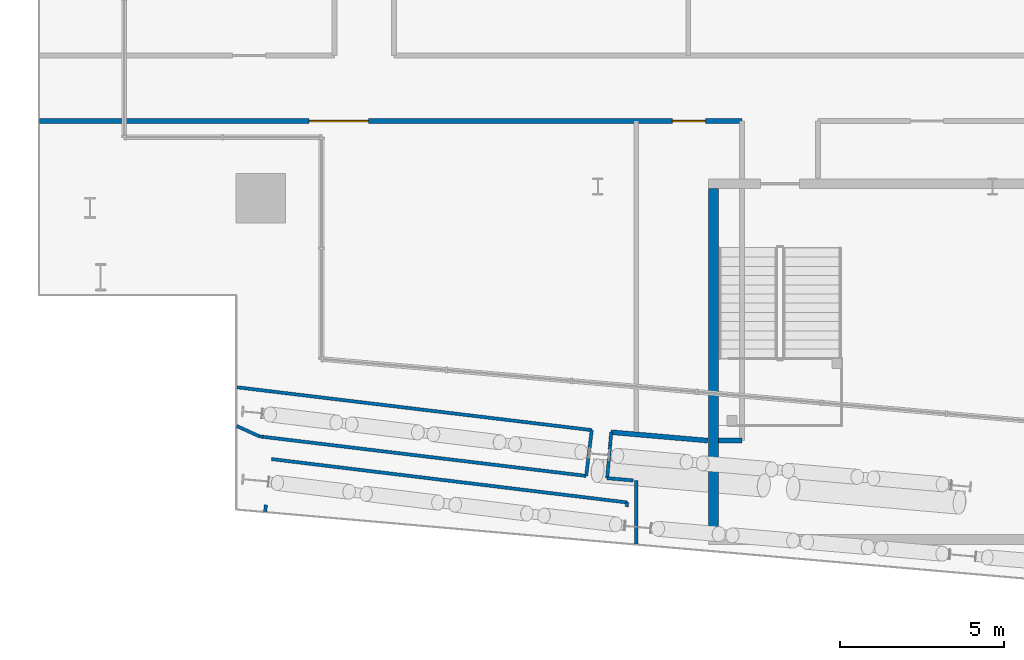
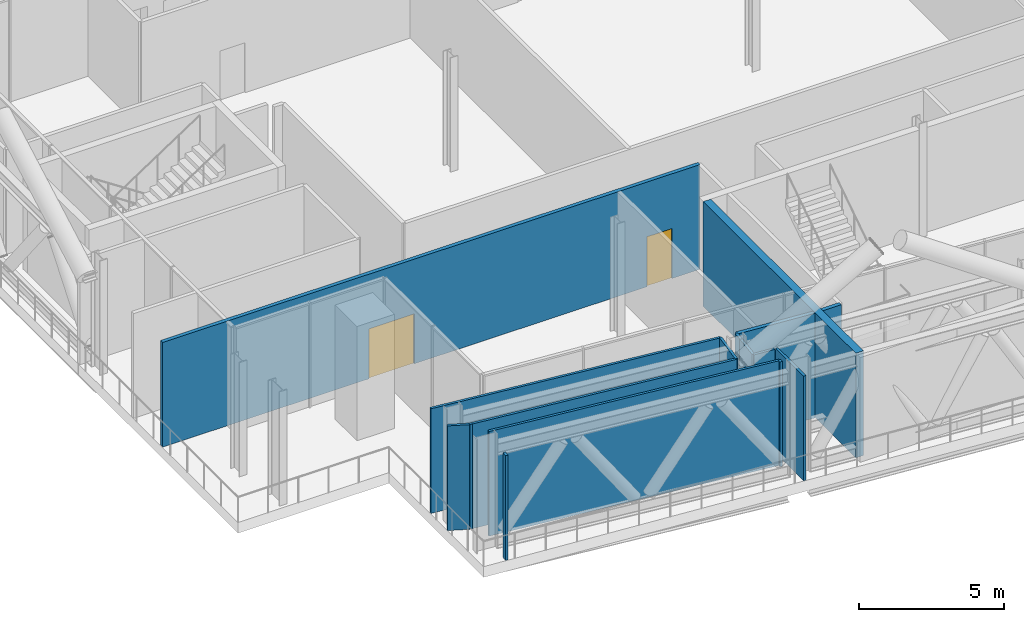
# One storey, part 15 of 42: 16 walls, 2 doors, 2 openings.
"""IFC4 building model written with IfcOpenShell, lengths in metres."""

from ifc_helpers import new_model, si_unit, direction, frame, frame_2d, origin, place, context, subcontext, project, spatial, rectangle, extrude, material, layer, layer_set, type_object, element, fill, save


model = new_model("IFC4")

# Units and contexts
model_context = context("Model", 3, precision=1e-05, world=origin(), true_north=direction((0.0, 1.0)))
body_context = subcontext(model_context, "Body", "Model", "MODEL_VIEW")
ifc_project = project(units=[si_unit("LENGTHUNIT", "METRE"), si_unit("AREAUNIT", "SQUARE_METRE"), si_unit("VOLUMEUNIT", "CUBIC_METRE"), si_unit("PLANEANGLEUNIT", "RADIAN"), si_unit("MASSUNIT", "GRAM", prefix="KILO")], contexts=[model_context])

# Site, building, storey
site_placement = place(None, origin())
site = spatial("IfcSite", under=ifc_project, at=site_placement, CompositionType="ELEMENT")
building_placement = place(site_placement, origin())
building = spatial("IfcBuilding", under=site, at=building_placement, Name="Wharfspan Tower", CompositionType="ELEMENT")
storey_placement = place(building_placement, frame((0.0, 0.0, 147.100098)))
storey = spatial("IfcBuildingStorey", under=building, at=storey_placement, Name="L35", CompositionType="ELEMENT", Elevation=147.100098)

# Walls
ifc_material_1 = material(Name="Gypsum board on steel studs", Category="steel")
ifc_layer_1 = layer(ifc_material_1, 0.100098)
ifc_layer_set_1 = layer_set([ifc_layer_1], Name="Gypsum board on steel studs")
wall_type_1 = type_object("IfcWallType", Name="Partition 100", PredefinedType="PARTITIONING", material=ifc_layer_set_1)
wall_1_placement = place(storey_placement, frame((13.7146, 3.905273, 0.0), z_axis=(0.0, 0.0, 1.0), x_axis=(-0.910389, 0.413755, 0.0)))
element("IfcWall", 1, at=wall_1_placement, inside=storey, type_object=wall_type_1, Name="Partition L35.w006", PredefinedType="PARTITIONING", context=body_context, shape_type="SweptSolid", body=[
    extrude(rectangle(XDim=0.762939, YDim=0.100098, at=frame_2d((0.381348, 0.0))), origin(), (0.0, 0.0, 1.0), 4.399902),
])
wall_2_placement = place(storey_placement, frame((13.820068, 3.889893, 0.0), z_axis=(0.0, 0.0, 1.0), x_axis=(-0.989763, 0.14271, 0.0)))
element("IfcWall", 2, at=wall_2_placement, inside=storey, type_object=wall_type_1, Name="Partition L35.w007", PredefinedType="PARTITIONING", context=body_context, shape_type="SweptSolid", body=[
    extrude(rectangle(XDim=0.105957, YDim=0.100098, at=frame_2d((0.052979, 0.0))), origin(), (0.0, 0.0, 1.0), 4.399902),
])
wall_3_placement = place(storey_placement, frame((13.886963, 1.617432, 0.0), z_axis=(0.0, 0.0, 1.0), x_axis=(0.109791, 0.993959, 0.0)))
element("IfcWall", 3, at=wall_3_placement, inside=storey, type_object=wall_type_1, Name="Partition L35.w008", PredefinedType="PARTITIONING", context=body_context, shape_type="SweptSolid", body=[
    extrude(rectangle(XDim=0.208984, YDim=0.100098, at=frame_2d((0.104492, 0.0))), origin(), (0.0, 0.0, 1.0), 4.399902),
])
wall_4_placement = place(storey_placement, frame((23.647217, 2.703369, 0.0), z_axis=(0.0, 0.0, 1.0), x_axis=(-0.99276, 0.120117, 0.0)))
element("IfcWall", 4, at=wall_4_placement, inside=storey, type_object=wall_type_1, Name="Partition L35.w017", PredefinedType="PARTITIONING", context=body_context, shape_type="SweptSolid", body=[
    extrude(rectangle(XDim=9.89624, YDim=0.100098, at=frame_2d((4.948242, 0.0))), origin(), (0.0, 0.0, 1.0), 4.399902),
])
wall_5_placement = place(storey_placement, frame((23.647217, 2.703369, 0.0), z_axis=(0.0, 0.0, 1.0), x_axis=(0.120149, 0.992755, 0.0)))
element("IfcWall", 5, at=wall_5_placement, inside=storey, type_object=wall_type_1, Name="Partition L35.w018", PredefinedType="PARTITIONING", context=body_context, shape_type="SweptSolid", body=[
    extrude(rectangle(XDim=1.400146, YDim=0.100098, at=frame_2d((0.700195, 0.0))), origin(), (0.0, 0.0, 1.0), 4.399902),
])
wall_6_placement = place(storey_placement, frame((23.814941, 4.094971, 0.0), z_axis=(0.0, 0.0, 1.0), x_axis=(-0.992778, 0.119977, 0.0)))
element("IfcWall", 6, at=wall_6_placement, inside=storey, type_object=wall_type_1, Name="Partition L35.w019", PredefinedType="PARTITIONING", context=body_context, shape_type="SweptSolid", body=[
    extrude(rectangle(XDim=10.858154, YDim=0.100098, at=frame_2d((5.429199, 0.0))), origin(), (0.0, 0.0, 1.0), 4.399902),
])
wall_7_placement = place(storey_placement, frame((24.284912, 2.63501, 0.0), z_axis=(0.0, 0.0, 1.0), x_axis=(0.08886, 0.996042, 0.0)))
element("IfcWall", 7, at=wall_7_placement, inside=storey, type_object=wall_type_1, Name="Partition L35.w020", PredefinedType="PARTITIONING", context=body_context, shape_type="SweptSolid", body=[
    extrude(rectangle(XDim=1.024902, YDim=0.100098, at=frame_2d((0.512451, 0.0))), origin(), (0.0, 0.0, 1.0), 4.399902),
])
wall_8_placement = place(storey_placement, frame((24.374023, 3.63208, 0.0), z_axis=(0.0, 0.0, 1.0), x_axis=(0.087129, 0.996195, 0.0)))
element("IfcWall", 8, at=wall_8_placement, inside=storey, type_object=wall_type_1, Name="Partition L35.w021", PredefinedType="PARTITIONING", context=body_context, shape_type="SweptSolid", body=[
    extrude(rectangle(XDim=0.400635, YDim=0.100098, at=frame_2d((0.200195, 0.0))), origin(), (0.0, 0.0, 1.0), 4.399902),
])
wall_9_placement = place(storey_placement, frame((24.879883, 1.764893, 0.0), z_axis=(0.0, 0.0, 1.0), x_axis=(0.115544, 0.993306, 0.0)))
element("IfcWall", 9, at=wall_9_placement, inside=storey, type_object=wall_type_1, Name="Partition L35.w022", PredefinedType="PARTITIONING", context=body_context, shape_type="SweptSolid", body=[
    extrude(rectangle(XDim=0.131104, YDim=0.100098, at=frame_2d((0.06543, 0.0))), origin(), (0.0, 0.0, 1.0), 4.399902),
])
wall_10_placement = place(storey_placement, frame((24.89502, 1.89502, 0.0), z_axis=(0.0, 0.0, 1.0), x_axis=(-0.992629, 0.12116, 0.0)))
element("IfcWall", 10, at=wall_10_placement, inside=storey, type_object=wall_type_1, Name="Partition L35.w023", PredefinedType="PARTITIONING", context=body_context, shape_type="SweptSolid", body=[
    extrude(rectangle(XDim=10.895264, YDim=0.100098, at=frame_2d((5.447754, 0.0))), origin(), (0.0, 0.0, 1.0), 4.399902),
])
wall_11_placement = place(storey_placement, frame((25.080078, 2.564941, 0.0), z_axis=(0.0, 0.0, 1.0), x_axis=(-0.996143, 0.087778, 0.0)))
element("IfcWall", 11, at=wall_11_placement, inside=storey, type_object=wall_type_1, Name="Partition L35.w024", PredefinedType="PARTITIONING", context=body_context, shape_type="SweptSolid", body=[
    extrude(rectangle(XDim=0.79834, YDim=0.100098, at=frame_2d((0.39917, 0.0))), origin(), (0.0, 0.0, 1.0), 4.399902),
])
wall_12_placement = place(storey_placement, frame((25.165039, 0.630859, 0.0), z_axis=(0.0, 0.0, 1.0), x_axis=(0.0, 1.0, 0.0)))
element("IfcWall", 12, at=wall_12_placement, inside=storey, type_object=wall_type_1, Name="Partition L35.w025", PredefinedType="PARTITIONING", context=body_context, shape_type="SweptSolid", body=[
    extrude(rectangle(XDim=1.928955, YDim=0.100098, at=frame_2d((0.964355, 0.0))), origin(), (0.0, 0.0, 1.0), 4.399902),
])

# Wall, openings, doors
ifc_layer_2 = layer(ifc_material_1, 0.149902)
ifc_layer_set_2 = layer_set([ifc_layer_2], Name="Gypsum board on steel studs")
wall_type_2 = type_object("IfcWallType", Name="Plant room wall 150 EI 120", PredefinedType="PARTITIONING", material=ifc_layer_set_2)
wall_13_placement = place(storey_placement, frame((7.02002, 13.48999, 0.0), z_axis=(0.0, 0.0, 1.0), x_axis=(1.0, 0.0, 0.0)))
wall_13 = element("IfcWall", 13, at=wall_13_placement, inside=storey, type_object=wall_type_2, Name="Partition L35.w001", PredefinedType="PARTITIONING", context=body_context, shape_type="SweptSolid", body=[
    extrude(rectangle(XDim=21.369873, YDim=0.149902, at=frame_2d((10.685059, 0.0))), origin(), (0.0, 0.0, 1.0), 4.399902),
])
opening_1_placement = place(wall_13_placement, frame((8.200928, 0.0, 0.0)))
opening_1 = element("IfcOpeningElement", 14, at=opening_1_placement, cuts=wall_13, Name="Opening BB-03", PredefinedType="OPENING", context=body_context, shape_type="SweptSolid", body=[
    extrude(rectangle(XDim=1.800049, YDim=2.100098, at=frame_2d((0.899902, 1.050049))), frame((0.0, 0.084961, 0.0), z_axis=(0.0, -1.0, 0.0), x_axis=(1.0, 0.0, 0.0)), (0.0, 0.0, 1.0), 0.169922),
])
opening_2_placement = place(wall_13_placement, frame((19.25, 0.0, 0.0)))
opening_2 = element("IfcOpeningElement", 15, at=opening_2_placement, cuts=wall_13, Name="Opening BB-04", PredefinedType="OPENING", context=body_context, shape_type="SweptSolid", body=[
    extrude(rectangle(XDim=1.0, YDim=2.100098, at=frame_2d((0.5, 1.050049))), frame((0.0, 0.084961, 0.0), z_axis=(0.0, -1.0, 0.0), x_axis=(1.0, 0.0, 0.0)), (0.0, 0.0, 1.0), 0.169922),
])
ifc_material_2 = material(Name="Fire-rated timber door leaf in steel frame", Category="steel")
door_type_1 = type_object("IfcDoorType", Name="Door 1000 FD60 Right", OperationType="SINGLE_SWING_RIGHT", PredefinedType="DOOR", material=ifc_material_2)
door_1_placement = place(opening_2_placement, origin())
door_1 = element("IfcDoor", 16, at=door_1_placement, inside=storey, type_object=door_type_1, Name="Door BB-04", OperationType="SINGLE_SWING_RIGHT", OverallHeight=2.100098, OverallWidth=1.0, PredefinedType="DOOR", context=body_context, shape_type="SweptSolid", body=[
    extrude(rectangle(XDim=1.0, YDim=2.100098, at=frame_2d((0.5, 1.050049))), frame((0.0, 0.024902, 0.0), z_axis=(0.0, -1.0, 0.0), x_axis=(1.0, 0.0, 0.0)), (0.0, 0.0, 1.0), 0.050049),
])
fill(opening_2, door_1)
door_type_2 = type_object("IfcDoorType", Name="Door 1800 FD30S Double", OperationType="DOUBLE_DOOR_SINGLE_SWING", PredefinedType="DOOR", material=ifc_material_2)
door_2_placement = place(opening_1_placement, origin())
door_2 = element("IfcDoor", 17, at=door_2_placement, inside=storey, type_object=door_type_2, Name="Door BB-03", OperationType="DOUBLE_DOOR_SINGLE_SWING", OverallHeight=2.100098, OverallWidth=1.800049, PredefinedType="DOOR", context=body_context, shape_type="SweptSolid", body=[
    extrude(rectangle(XDim=1.800049, YDim=2.100098, at=frame_2d((0.899902, 1.050049))), frame((0.0, 0.024902, 0.0), z_axis=(0.0, -1.0, 0.0), x_axis=(1.0, 0.0, 0.0)), (0.0, 0.0, 1.0), 0.050049),
])
fill(opening_1, door_2)

# Walls
wall_14_placement = place(storey_placement, frame((27.344238, 3.776855, 0.0), z_axis=(0.0, 0.0, 1.0), x_axis=(-0.996272, 0.086262, 0.0)))
element("IfcWall", 18, at=wall_14_placement, inside=storey, type_object=wall_type_2, Name="Partition L35.w028", PredefinedType="PARTITIONING", context=body_context, shape_type="SweptSolid", body=[
    extrude(rectangle(XDim=2.951904, YDim=0.149902, at=frame_2d((1.476074, 0.0))), origin(), (0.0, 0.0, 1.0), 4.399902),
])
wall_15_placement = place(storey_placement, frame((27.664307, 3.774902, 0.0), z_axis=(0.0, 0.0, 1.0), x_axis=(1.0, 0.0, 0.0)))
element("IfcWall", 19, at=wall_15_placement, inside=storey, type_object=wall_type_2, Name="Partition L35.w029", PredefinedType="PARTITIONING", context=body_context, shape_type="SweptSolid", body=[
    extrude(rectangle(XDim=0.725586, YDim=0.149902, at=frame_2d((0.362793, 0.0))), origin(), (0.0, 0.0, 1.0), 4.399902),
])
ifc_material_3 = material(Name="Concrete C40/50", Category="concrete")
ifc_layer_3 = layer(ifc_material_3, 0.300049)
ifc_layer_set_3 = layer_set([ifc_layer_3], Name="Concrete C40/50")
wall_type_3 = type_object("IfcWallType", Name="Stair core wall 300", PredefinedType="SHEAR", material=ifc_layer_set_3)
wall_16_placement = place(storey_placement, frame((27.51416, 0.916992, 0.0), z_axis=(0.0, 0.0, 1.0), x_axis=(0.0, 1.0, 0.0)))
element("IfcWall", 20, at=wall_16_placement, inside=storey, type_object=wall_type_3, Name="ST4 stair enclosure wall L35", PredefinedType="SHEAR", context=body_context, shape_type="SweptSolid", body=[
    extrude(rectangle(XDim=10.517334, YDim=0.300049, at=frame_2d((5.258789, 0.0))), origin(), (0.0, 0.0, 1.0), 4.399902),
])

save(model, "model.ifc")
